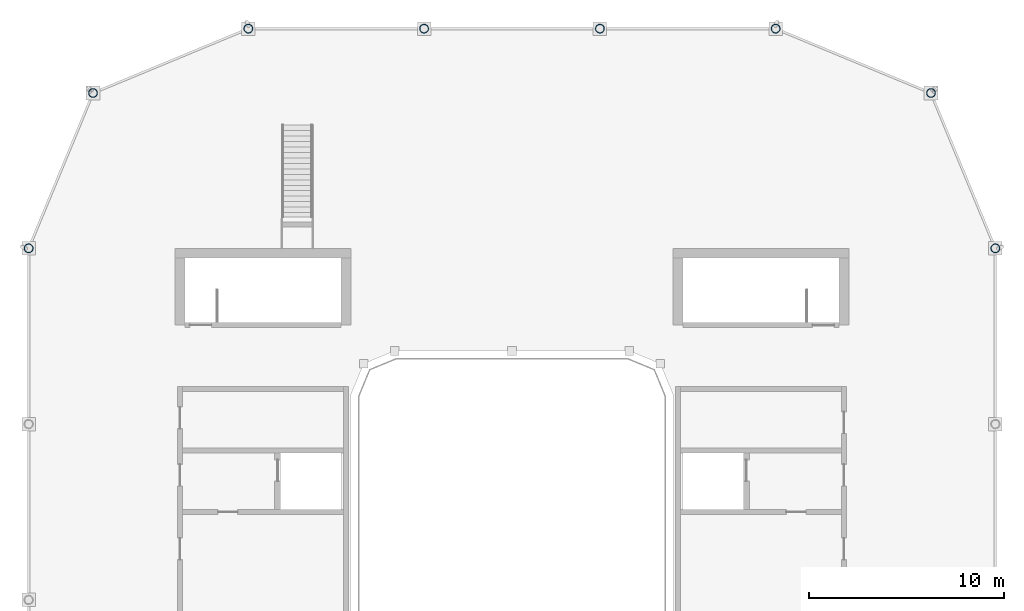
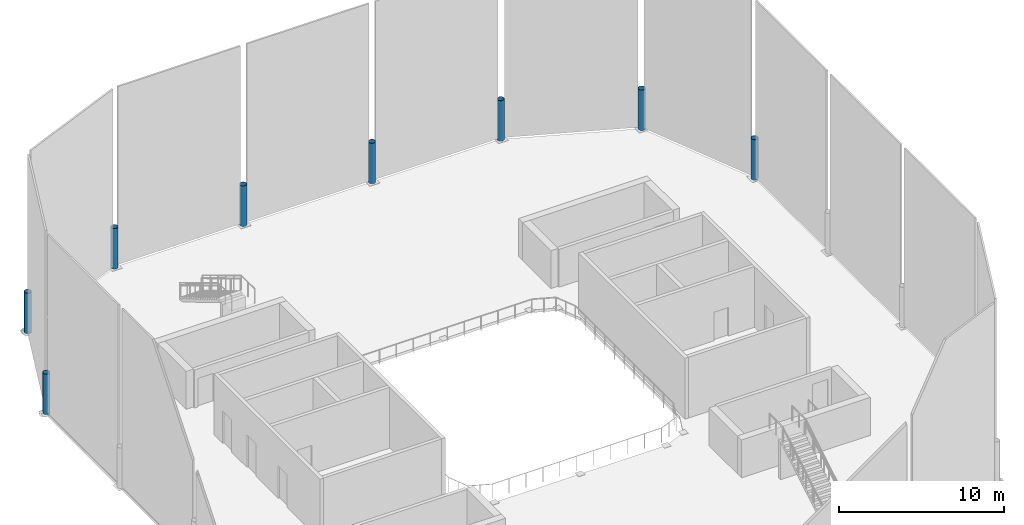
# One storey, part 2 of 8: 8 columns.
"""IFC4 building model written with IfcOpenShell, lengths in metres."""

from ifc_helpers import new_model, si_unit, direction, frame, origin, origin_2d, place, context, subcontext, project, spatial, hollow_circle, extrude, material, material_profile, profile_set, type_object, element, save


model = new_model("IFC4")

# Units and contexts
model_context = context("Model", 3, precision=1e-05, world=origin(), true_north=direction((0.0, 1.0)))
body_context = subcontext(model_context, "Body", "Model", "MODEL_VIEW")
ifc_project = project(units=[si_unit("LENGTHUNIT", "METRE"), si_unit("AREAUNIT", "SQUARE_METRE"), si_unit("VOLUMEUNIT", "CUBIC_METRE"), si_unit("PLANEANGLEUNIT", "RADIAN"), si_unit("MASSUNIT", "GRAM", prefix="KILO")], contexts=[model_context])

# Site, building, storey
site_placement = place(None, origin())
site = spatial("IfcSite", under=ifc_project, at=site_placement, CompositionType="ELEMENT")
building_placement = place(site_placement, origin())
building = spatial("IfcBuilding", under=site, at=building_placement, Name="Siwar Civic Tower", CompositionType="ELEMENT")
storey_placement = place(building_placement, frame((0.0, 0.0, 358.199951171875)))
storey = spatial("IfcBuildingStorey", under=building, at=storey_placement, Name="ROOF", CompositionType="ELEMENT", Elevation=358.199951171875)

# Columns
ifc_material = material(Name="Steel S355", Category="steel")
ifc_material_profile = material_profile(ifc_material, hollow_circle(Radius=0.228515625, WallThickness=0.02001953125, at=origin_2d()), Name="CHS457x20")
ifc_profile_set = profile_set([ifc_material_profile], Name="Steel S355")
column_type = type_object("IfcColumnType", Name="ENV-CROWN POST", PredefinedType="COLUMN", material=ifc_profile_set)
for number, where, z_axis, x_axis, name in (
    (1, (24.75, 13.5, 0.0), (0.0, 0.0, 1.0), (1.0, 0.0, 0.0), "Crown post NE1-0"),
    (2, (21.454833984375, 21.454833984375, 0.0), (0.0, 0.0, 1.0), (1.0, 0.0, 0.0), "Crown post NE2-0"),
    (3, (13.5, 24.75, 0.0), (0.0, 0.0, 1.0), (1.0, 0.0, 0.0), "Crown post N-0"),
    (4, (4.5, 24.75, 0.0), (0.0, 0.0, 1.0), (1.0, 0.0, 0.0), "Crown post N-1"),
    (5, (-4.5, 24.75, 0.0), (0.0, 0.0, 1.0), (1.0, 0.0, 0.0), "Crown post N-2"),
    (6, (-13.5, 24.75, 0.0), (0.0, 0.0, 1.0), (1.0, 0.0, 0.0), "Crown post NW1-0"),
    (7, (-21.454833984375, 21.454833984375, 0.0), (0.0, 0.0, 1.0), (1.0, 0.0, 0.0), "Crown post NW2-0"),
    (8, (-24.75, 13.5, 0.0), (0.0, 0.0, 1.0), (1.0, 0.0, 0.0), "Crown post W-0"),
):
    element("IfcColumn", number, at=place(storey_placement, frame(where, z_axis=z_axis, x_axis=x_axis)), inside=storey, type_object=column_type, Name=name, PredefinedType="COLUMN", context=body_context, shape_type="SweptSolid", body=[
        extrude(hollow_circle(Radius=0.228515625, WallThickness=0.02001953125, at=origin_2d()), origin(), (0.0, 0.0, 1.0), 3.0),
    ])

save(model, "model.ifc")
